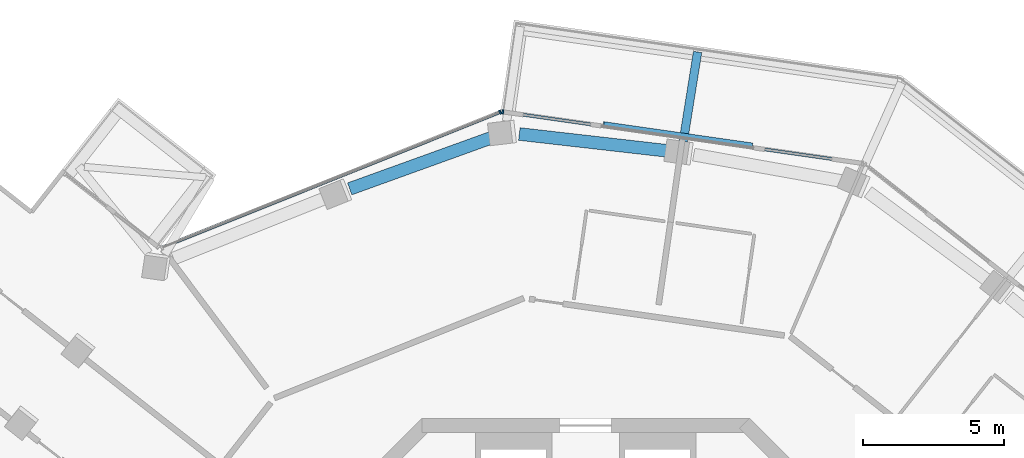
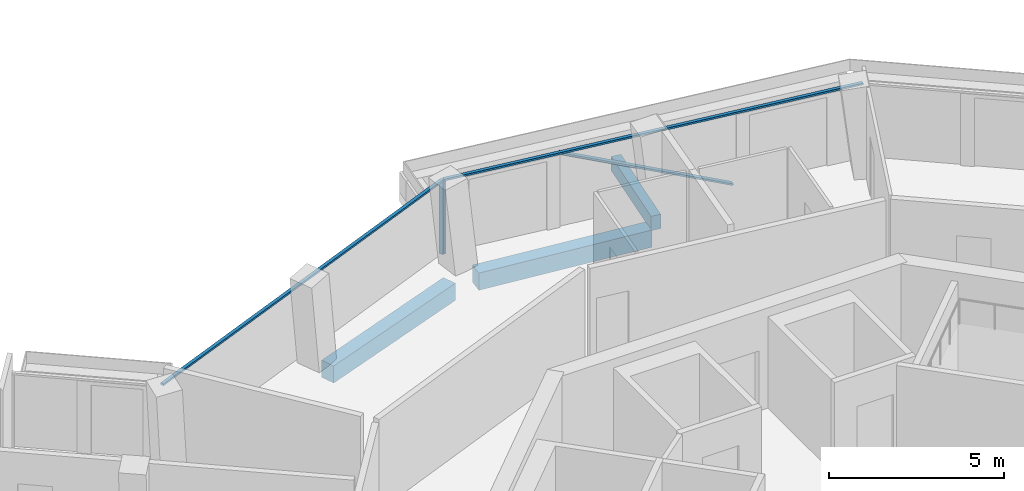
# One storey, part 7 of 23: 5 members, 3 beams, 2 elements without a shape of their own.
"""IFC4 building model written with IfcOpenShell, lengths in metres."""

import ifcopenshell
import ifcopenshell.guid

model = None  # the IFC model being written
_history = None  # IfcOwnerHistory: only IFC2X3 demands one
_inside = {}  # id of a spatial element -> (the spatial element, [elements in it])
_under = {}  # id of a project, library or spatial element -> (it, [spatial elements below it])
_declared = {}  # id of a project -> (the project, [libraries it declares])
_typed = {}  # id of a type object -> (the type object, [elements of that type])
_made_of = {}  # id of a material, layer set ... -> (it, [elements and type objects made of it])


def new_model(schema):
    """Start an empty IFC model of exactly this schema.

    Asked for "IFC4X3", IfcOpenShell would pick the latest addendum, in which some entities
    have other attributes; the version numbers below select the first issue.
    IFC2X3 requires an IfcOwnerHistory on every rooted entity: one is made here for all.
    """
    global model, _history
    if schema == "IFC4X3":
        model = ifcopenshell.file(schema_version=(4, 3, 0, 0))
    else:
        model = ifcopenshell.file(schema=schema)
    _inside.clear()
    _under.clear()
    _declared.clear()
    _typed.clear()
    _made_of.clear()
    _history = None
    if model.schema == "IFC2X3":
        org = make("IfcOrganization", Name="unknown")
        user = make(
            "IfcPersonAndOrganization",
            ThePerson=make("IfcPerson", FamilyName="unknown"),
            TheOrganization=org,
        )
        app = make(
            "IfcApplication",
            ApplicationDeveloper=org,
            Version="unknown",
            ApplicationFullName="unknown",
            ApplicationIdentifier="unknown",
        )
        _history = make(
            "IfcOwnerHistory",
            OwningUser=user,
            OwningApplication=app,
            ChangeAction="ADDED",
            CreationDate=0,
        )
    return model


def make(cls, **values):
    """One entity of the class cls with the attributes given. An attribute that is None is left unset."""
    return model.create_entity(
        cls, **{name: value for name, value in values.items() if value is not None}
    )


def rooted(cls, **values):
    """An entity with a GlobalId (a new one), such as an element, a storey or a relation."""
    return make(cls, GlobalId=ifcopenshell.guid.new(), OwnerHistory=_history, **values)


def si_unit(unit_type, name, prefix=None):
    """IfcSIUnit, for example si_unit("LENGTHUNIT", "METRE", prefix="MILLI")."""
    return make("IfcSIUnit", UnitType=unit_type, Prefix=prefix, Name=name)


def assignment(units):
    """IfcUnitAssignment: the units of a project."""
    return None if units is None else make("IfcUnitAssignment", Units=units)


def point(xyz):
    """IfcCartesianPoint."""
    return None if xyz is None else make("IfcCartesianPoint", Coordinates=xyz)


def direction(xyz):
    """IfcDirection."""
    return None if xyz is None else make("IfcDirection", DirectionRatios=xyz)


def frame(location, z_axis=None, x_axis=None):
    """IfcAxis2Placement3D, a coordinate frame: its origin and axes. An axis left out is left unset."""
    return make(
        "IfcAxis2Placement3D",
        Location=point(location),
        Axis=direction(z_axis),
        RefDirection=direction(x_axis),
    )


def frame_2d(location, x_axis=None):
    """IfcAxis2Placement2D, a coordinate frame in the plane: its origin and x axis."""
    return make(
        "IfcAxis2Placement2D", Location=point(location), RefDirection=direction(x_axis)
    )


def origin():
    """The frame at (0, 0, 0) with its axes left unset."""
    return frame((0.0, 0.0, 0.0))


def origin_2d():
    """The frame at (0, 0) in the plane with its x axis left unset."""
    return frame_2d((0.0, 0.0))


def place(relative_to, where):
    """IfcLocalPlacement: puts the frame where relative to a parent placement (None: the world)."""
    return make(
        "IfcLocalPlacement", PlacementRelTo=relative_to, RelativePlacement=where
    )


def context(
    kind, dimensions, precision=None, world=None, true_north=None, identifier=None
):
    """IfcGeometricRepresentationContext, for example the 3D "Model" context."""
    return make(
        "IfcGeometricRepresentationContext",
        ContextIdentifier=identifier,
        ContextType=kind,
        CoordinateSpaceDimension=dimensions,
        Precision=precision,
        WorldCoordinateSystem=world,
        TrueNorth=true_north,
    )


def subcontext(parent, identifier, kind, view, scale=None):
    """IfcGeometricRepresentationSubContext, for example "Body" below "Model"."""
    return make(
        "IfcGeometricRepresentationSubContext",
        ContextIdentifier=identifier,
        ContextType=kind,
        ParentContext=parent,
        TargetScale=scale,
        TargetView=view,
    )


def project(units=None, contexts=None):
    """IfcProject with its units and contexts."""
    return rooted(
        "IfcProject",
        Name="project",
        RepresentationContexts=contexts,
        UnitsInContext=assignment(units),
    )


def spatial(cls, under=None, at=None, **own):
    """A site, building, storey or space (cls), placed at a placement, below another one or the project."""
    s = rooted(cls, ObjectPlacement=at, **own)
    if under is not None:
        _under.setdefault(under.id(), (under, []))[1].append(s)
    return s


def profile(cls, at=None, kind="AREA", **sizes):
    """A parametric profile (cls). Its sizes go by their IFC names, for example OverallWidth=200.0."""
    return make(cls, ProfileType=kind, Position=at, **sizes)


def rectangle(**sizes):
    """IfcRectangleProfileDef."""
    return profile("IfcRectangleProfileDef", **sizes)


def extrude(swept, where, along, depth):
    """IfcExtrudedAreaSolid: the profile swept, set in the frame where, extruded along a direction by depth."""
    return make(
        "IfcExtrudedAreaSolid",
        SweptArea=swept,
        Position=where,
        ExtrudedDirection=direction(along),
        Depth=depth,
    )


def shape(context_of_items, identifier, shape_type, items):
    """IfcShapeRepresentation: the items that make up one representation, for example the "Body"."""
    return make(
        "IfcShapeRepresentation",
        ContextOfItems=context_of_items,
        RepresentationIdentifier=identifier,
        RepresentationType=shape_type,
        Items=items,
    )


def material(Name=None, Category=None):
    """IfcMaterial."""
    return make("IfcMaterial", Name=Name, Category=Category)


def layer(
    of_material, thickness, ventilated=None, Name=None, Category=None, Priority=None
):
    """IfcMaterialLayer: one layer of a wall or slab, of a material (None: an air gap)."""
    return make(
        "IfcMaterialLayer",
        Material=of_material,
        LayerThickness=thickness,
        IsVentilated=ventilated,
        Name=Name,
        Category=Category,
        Priority=Priority,
    )


def layer_set(layers, Name=None):
    """IfcMaterialLayerSet."""
    return make("IfcMaterialLayerSet", MaterialLayers=layers, LayerSetName=Name)


def material_profile(
    of_material, cross_section, Name=None, Category=None, Priority=None
):
    """IfcMaterialProfile: a cross section and its material."""
    return make(
        "IfcMaterialProfile",
        Name=Name,
        Material=of_material,
        Profile=cross_section,
        Priority=Priority,
        Category=Category,
    )


def profile_set(profiles, Name=None, composite=None):
    """IfcMaterialProfileSet."""
    return make(
        "IfcMaterialProfileSet",
        Name=Name,
        MaterialProfiles=profiles,
        CompositeProfile=composite,
    )


def made_of(thing, what):
    """Note that an element or type object is made of a material, layer set ...; save() writes the relation."""
    if what is not None:
        _made_of.setdefault(what.id(), (what, []))[1].append(thing)
    return thing


def type_object(cls, material=None, **own):
    """A type object (cls), such as IfcWallType, which elements share."""
    return made_of(rooted(cls, **own), material)


def element(
    cls,
    number,
    at=None,
    inside=None,
    cuts=None,
    type_object=None,
    material=None,
    context=None,
    identifier="Body",
    shape_type=None,
    held_by="IfcProductDefinitionShape",
    body=None,
    shapes=None,
    **own,
):
    """One element of the class cls, such as IfcWall. Its Tag is "e" and its number.

    at: its placement. inside: the storey or other place that contains it. cuts: it is an
    opening in that element (IfcRelVoidsElement). A single representation is given by context,
    identifier, shape_type and body (its items); several are given by shapes. held_by: the class
    of the entity that holds the representations. save() writes the other relations.
    """
    e = rooted(cls, Tag="e%d" % number, ObjectPlacement=at, **own)
    if body is not None:
        shapes = [shape(context, identifier, shape_type, body)]
    if shapes is not None:
        e.Representation = make(held_by, Representations=shapes)
    if inside is not None:
        _inside.setdefault(inside.id(), (inside, []))[1].append(e)
    if cuts is not None:
        rooted(
            "IfcRelVoidsElement", RelatingBuildingElement=cuts, RelatedOpeningElement=e
        )
    if type_object is not None:
        _typed.setdefault(type_object.id(), (type_object, []))[1].append(e)
    return made_of(e, material)


def aggregate(whole, parts):
    """IfcRelAggregates: a whole, such as a stair, and the parts it consists of."""
    return rooted("IfcRelAggregates", RelatingObject=whole, RelatedObjects=parts)


def save(model, path):
    """Write the relations noted so far, then the file.

    IfcRelAggregates (storeys below a building ...), IfcRelContainedInSpatialStructure (elements
    in a storey), IfcRelDefinesByType, IfcRelAssociatesMaterial and IfcRelDeclares: one each for
    every whole, place, type object, material and project.
    """
    for whole, parts in _under.values():
        aggregate(whole, parts)
    for where, things in _inside.values():
        rooted(
            "IfcRelContainedInSpatialStructure",
            RelatedElements=things,
            RelatingStructure=where,
        )
    for kind, things in _typed.values():
        rooted("IfcRelDefinesByType", RelatedObjects=things, RelatingType=kind)
    for what, things in _made_of.values():
        rooted("IfcRelAssociatesMaterial", RelatedObjects=things, RelatingMaterial=what)
    for by, libraries in _declared.values():
        rooted("IfcRelDeclares", RelatingContext=by, RelatedDefinitions=libraries)
    model.write(path)


model = new_model("IFC4")

# Units and contexts
model_context = context("Model", 3, precision=1e-05, world=origin(), true_north=direction((0.0, 1.0)))
body_context = subcontext(model_context, "Body", "Model", "MODEL_VIEW")
ifc_project = project(units=[si_unit("LENGTHUNIT", "METRE"), si_unit("AREAUNIT", "SQUARE_METRE"), si_unit("VOLUMEUNIT", "CUBIC_METRE"), si_unit("PLANEANGLEUNIT", "RADIAN"), si_unit("MASSUNIT", "GRAM", prefix="KILO")], contexts=[model_context])

# Site, building, storey
site_placement = place(None, origin())
site = spatial("IfcSite", under=ifc_project, at=site_placement, CompositionType="ELEMENT")
building_placement = place(site_placement, origin())
building = spatial("IfcBuilding", under=site, at=building_placement, Name="Verdalira Terraces Hotel", CompositionType="ELEMENT")
storey_placement = place(building_placement, frame((0.0, 0.0, 244.5)))
storey = spatial("IfcBuildingStorey", under=building, at=storey_placement, Name="L60", CompositionType="ELEMENT", Elevation=244.5)

# Beam
ifc_material_1 = material(Name="Concrete C40", Category="concrete")
ifc_material_profile_1 = material_profile(ifc_material_1, rectangle(XDim=0.300049, YDim=0.5, at=origin_2d()), Name="RC 300X500")
ifc_profile_set_1 = profile_set([ifc_material_profile_1], Name="Concrete C40")
beam_type_1 = type_object("IfcBeamType", Name="Balcony cantilever beam RC 300X500 C40", PredefinedType="BEAM", material=ifc_profile_set_1)
beam_1_placement = place(storey_placement, frame((3.456055, 23.808594, -0.560059), z_axis=(0.158508131, 0.987357672, 0.0), x_axis=(-0.987357672, 0.158508131, 0.0)))
element("IfcBeam", 1, at=beam_1_placement, inside=storey, type_object=beam_type_1, Name="Balcony cantilever beam R39-4", PredefinedType="BEAM", context=body_context, shape_type="SweptSolid", body=[
    extrude(rectangle(XDim=0.300049, YDim=0.5, at=origin_2d()), origin(), (0.0, 0.0, 1.0), 3.200684),
])

# Curtain wall, member
ifc_material_2 = material(Name="Clear glass", Category="glass")
ifc_layer = layer(ifc_material_2, 0.14990234375)
ifc_layer_set = layer_set([ifc_layer], Name="CW1 curtain wall")
curtain_wall_type = type_object("IfcCurtainWallType", Name="CW1 curtain wall", PredefinedType="NOTDEFINED", material=ifc_layer_set)
curtain_wall_1_placement = place(storey_placement, origin())
curtain_wall_1 = element("IfcCurtainWall", 2, at=curtain_wall_1_placement, inside=storey, type_object=curtain_wall_type, Name="CW1 curtain wall L60 edge 40", PredefinedType="NOTDEFINED")
ifc_material_3 = material(Name="Terracotta frame", Category="masonry")
ifc_material_profile_2 = material_profile(ifc_material_3, rectangle(XDim=0.060059, YDim=0.149902, at=origin_2d()), Name="MU 60x150")
ifc_profile_set_2 = profile_set([ifc_material_profile_2], Name="Terracotta frame")
member_type_1 = type_object("IfcMemberType", Name="CW1 mullion 60x150", PredefinedType="MULLION", material=ifc_profile_set_2)
member_1_placement = place(storey_placement, frame((-2.932129, 24.851074, 0.0), z_axis=(0.0, 0.0, 1.0), x_axis=(-0.989875563, 0.141937905, 0.0)))
member_1 = element("IfcMember", 3, at=member_1_placement, type_object=member_type_1, Name="CW1 mullion", PredefinedType="MULLION", context=body_context, shape_type="SweptSolid", body=[
    extrude(rectangle(XDim=0.060059, YDim=0.149902, at=origin_2d()), origin(), (0.0, 0.0, 1.0), 2.524902),
])

curtain_wall_2_placement = place(storey_placement, origin())
curtain_wall_2 = element("IfcCurtainWall", 4, at=curtain_wall_2_placement, inside=storey, type_object=curtain_wall_type, Name="CW1 curtain wall L60 edge 41", PredefinedType="NOTDEFINED")
member_2_placement = place(storey_placement, frame((-3.02832, 24.8396, 0.0), z_axis=(0.0, 0.0, 1.0), x_axis=(-0.928226337, -0.37201595, 0.0)))
member_2 = element("IfcMember", 5, at=member_2_placement, type_object=member_type_1, Name="CW1 mullion", PredefinedType="MULLION", context=body_context, shape_type="SweptSolid", body=[
    extrude(rectangle(XDim=0.060059, YDim=0.149902, at=origin_2d()), origin(), (0.0, 0.0, 1.0), 2.524902),
])

# Member
ifc_material_4 = material(Name="Terracotta frame", Category="masonry")
ifc_material_profile_3 = material_profile(ifc_material_4, rectangle(XDim=0.110107, YDim=0.064941, at=origin_2d()), Name="TR 65x110")
ifc_profile_set_3 = profile_set([ifc_material_profile_3], Name="Terracotta frame")
member_type_2 = type_object("IfcMemberType", Name="CW1 transom 65x110", PredefinedType="USERDEFINED", material=ifc_profile_set_3)
member_3_placement = place(storey_placement, frame((9.826904, 23.021484, 2.557617), z_axis=(-0.989873386, 0.141953093, 0.0), x_axis=(-0.141953093, -0.989873386, 0.0)))
member_3 = element("IfcMember", 6, at=member_3_placement, type_object=member_type_2, Name="CW1 transom", ObjectType="TRANSOM", PredefinedType="USERDEFINED", context=body_context, shape_type="SweptSolid", body=[
    extrude(rectangle(XDim=0.110107, YDim=0.064941, at=origin_2d()), origin(), (0.0, 0.0, 1.0), 12.919678),
])

member_4_placement = place(storey_placement, frame((-3.000488, 24.85083, 2.557617), z_axis=(-0.928224432, -0.372020703, 0.0), x_axis=(0.372020703, -0.928224432, 0.0)))
member_4 = element("IfcMember", 7, at=member_4_placement, type_object=member_type_2, Name="CW1 transom", ObjectType="TRANSOM", PredefinedType="USERDEFINED", context=body_context, shape_type="SweptSolid", body=[
    extrude(rectangle(XDim=0.110107, YDim=0.064941, at=origin_2d()), origin(), (0.0, 0.0, 1.0), 12.959717),
])

aggregate(curtain_wall_2, [member_2, member_4])

ifc_material_5 = material(Name="Terracotta frame", Category="masonry")
ifc_material_profile_4 = material_profile(ifc_material_5, rectangle(XDim=0.149902, YDim=0.060059, at=origin_2d()), Name="GB 60x150")
ifc_profile_set_4 = profile_set([ifc_material_profile_4], Name="Terracotta frame")
member_type_3 = type_object("IfcMemberType", Name="Diagonal glazing bar 60x150", PredefinedType="USERDEFINED", material=ifc_profile_set_4)
member_5_placement = place(storey_placement, frame((5.896484, 23.675049, 0.028076), z_axis=(-0.897647077, 0.128705677, 0.421502757), x_axis=(-0.141929674, -0.989876744, 0.0)))
member_5 = element("IfcMember", 8, at=member_5_placement, type_object=member_type_3, Name="Diagonal glazing bar", ObjectType="GLAZING BAR", PredefinedType="USERDEFINED", context=body_context, shape_type="SweptSolid", body=[
    extrude(rectangle(XDim=0.149902, YDim=0.060059, at=origin_2d()), origin(), (0.0, 0.0, 1.0), 5.857666),
])

aggregate(curtain_wall_1, [member_1, member_3, member_5])

# Beams
ifc_material_6 = material(Name="Concrete C40", Category="concrete")
ifc_material_profile_5 = material_profile(ifc_material_6, rectangle(XDim=0.449951, YDim=0.600098, at=origin_2d()), Name="RC 450X600")
ifc_profile_set_5 = profile_set([ifc_material_profile_5], Name="Concrete C40")
beam_type_2 = type_object("IfcBeamType", Name="Spandrel beam RC 450X600 C40", PredefinedType="SPANDREL", material=ifc_profile_set_5)
beam_2_placement = place(storey_placement, frame((3.01123, 23.455811, -0.610107), z_axis=(-0.993562834, 0.113282366, 0.0), x_axis=(-0.113282366, -0.993562834, 0.0)))
element("IfcBeam", 9, at=beam_2_placement, inside=storey, type_object=beam_type_2, Name="Spandrel beam B21", PredefinedType="SPANDREL", context=body_context, shape_type="SweptSolid", body=[
    extrude(rectangle(XDim=0.449951, YDim=0.600098, at=origin_2d()), origin(), (0.0, 0.0, 1.0), 5.394287),
])
beam_3_placement = place(storey_placement, frame((-3.277832, 23.956299, -0.610107), z_axis=(-0.94058601, -0.33955553, 0.0), x_axis=(0.33955553, -0.94058601, 0.0)))
element("IfcBeam", 10, at=beam_3_placement, inside=storey, type_object=beam_type_2, Name="Spandrel beam B22", PredefinedType="SPANDREL", context=body_context, shape_type="SweptSolid", body=[
    extrude(rectangle(XDim=0.449951, YDim=0.600098, at=origin_2d()), origin(), (0.0, 0.0, 1.0), 5.396729),
])

save(model, "model.ifc")
